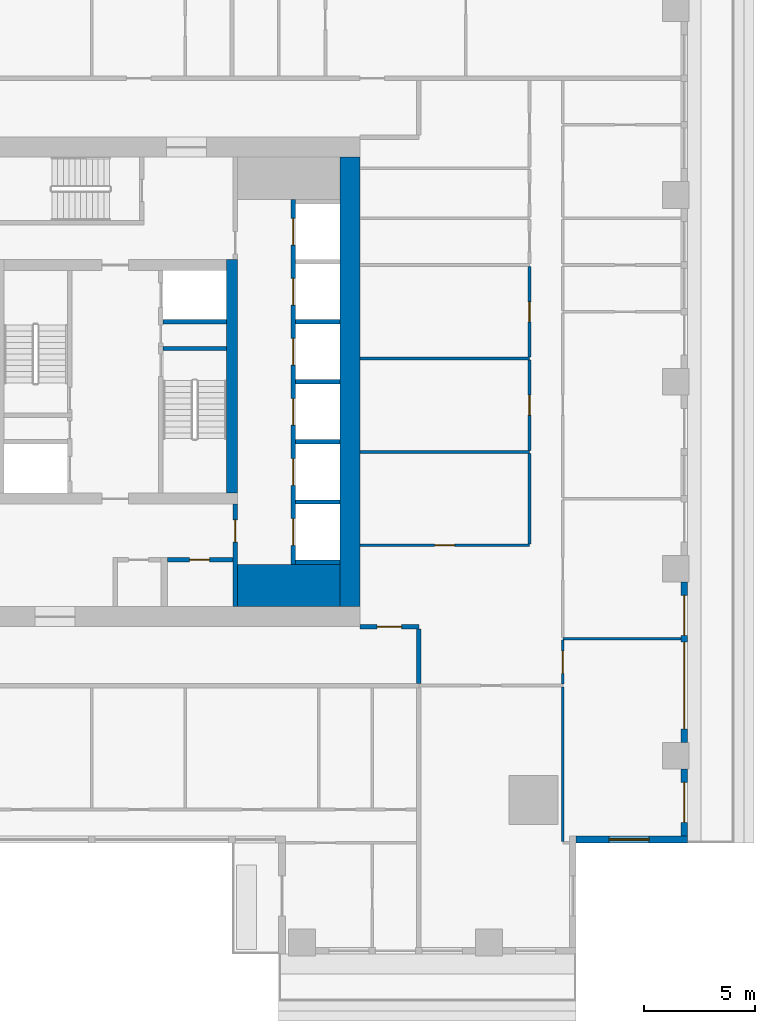
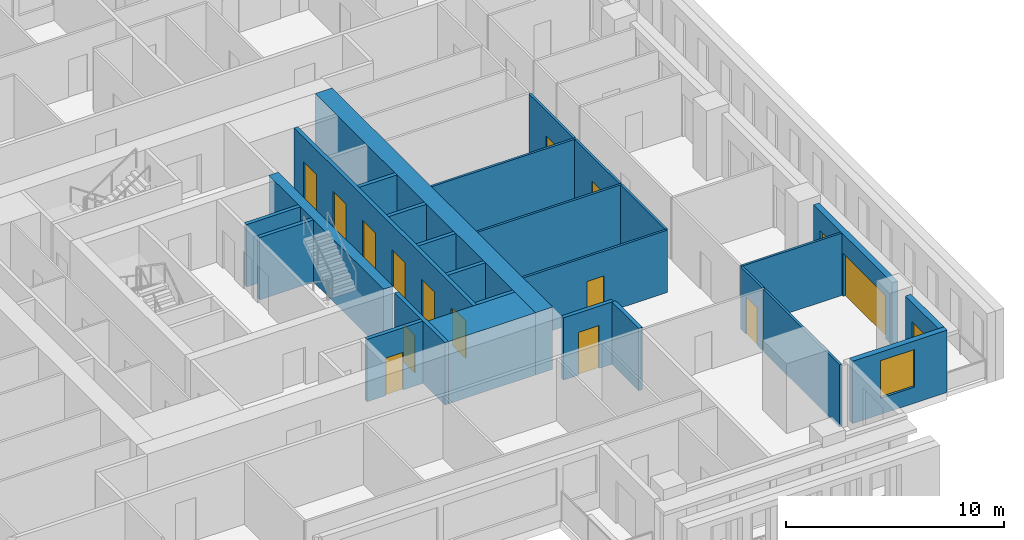
# One storey, part 5 of 15: 27 walls, 16 doors, 1 window, 17 openings.
"""IFC4 building model written with IfcOpenShell, lengths in metres."""

from ifc_helpers import new_model, si_unit, direction, frame, frame_2d, origin, place, context, subcontext, project, spatial, rectangle, extrude, material, layer, layer_set, type_object, element, fill, save


model = new_model("IFC4")

# Units and contexts
model_context = context("Model", 3, precision=1e-05, world=origin(), true_north=direction((0.0, 1.0)))
body_context = subcontext(model_context, "Body", "Model", "MODEL_VIEW")
ifc_project = project(units=[si_unit("LENGTHUNIT", "METRE"), si_unit("AREAUNIT", "SQUARE_METRE"), si_unit("VOLUMEUNIT", "CUBIC_METRE"), si_unit("PLANEANGLEUNIT", "RADIAN"), si_unit("MASSUNIT", "GRAM", prefix="KILO")], contexts=[model_context])

# Site, building, storey
site_placement = place(None, origin())
site = spatial("IfcSite", under=ifc_project, at=site_placement, CompositionType="ELEMENT")
building_placement = place(site_placement, origin())
building = spatial("IfcBuilding", under=site, at=building_placement, Name="Khepri Terraces", CompositionType="ELEMENT")
storey_placement = place(building_placement, frame((0.0, 0.0, 256.199951171875)))
storey = spatial("IfcBuildingStorey", under=building, at=storey_placement, Name="L61", CompositionType="ELEMENT", Elevation=256.199951171875)

# Walls
ifc_material_1 = material(Name="Concrete C40/50", Category="concrete")
ifc_layer_1 = layer(ifc_material_1, 1.89990234375, Name="Concrete C40/50", Category="concrete")
ifc_layer_set_1 = layer_set([ifc_layer_1], Name="Concrete C40/50")
wall_type_1 = type_object("IfcWallType", Name="Core wall 1900 C40/50", PredefinedType="SHEAR", material=ifc_layer_set_1)
wall_1_placement = place(storey_placement, frame((5.5, -9.14990234375, 0.0), z_axis=(0.0, 0.0, 1.0), x_axis=(1.0, 0.0, 0.0)))
element("IfcWall", 1, at=wall_1_placement, inside=storey, type_object=wall_type_1, Name="Core wall PR02 L61", PredefinedType="SHEAR", context=body_context, shape_type="SweptSolid", body=[
    extrude(rectangle(XDim=4.60009765625, YDim=1.89990234375, at=frame_2d((2.300048828125, 0.0))), origin(), (0.0, 0.0, 1.0), 3.47998046875),
])
ifc_layer_2 = layer(ifc_material_1, 0.199951171875, Name="Concrete C40/50", Category="concrete")
ifc_layer_set_2 = layer_set([ifc_layer_2], Name="Concrete C40/50")
wall_type_2 = type_object("IfcWallType", Name="Core wall 200 C40/50", PredefinedType="SHEAR", material=ifc_layer_set_2)
wall_2_placement = place(storey_placement, frame((2.14990234375, 1.5, 0.0), z_axis=(0.0, 0.0, 1.0), x_axis=(1.0, 0.0, 0.0)))
element("IfcWall", 2, at=wall_2_placement, inside=storey, type_object=wall_type_2, Name="Core wall ST04 L61", PredefinedType="SHEAR", context=body_context, shape_type="SweptSolid", body=[
    extrude(rectangle(XDim=2.85009765625, YDim=0.199951171875, at=frame_2d((1.425048828125, 0.0))), origin(), (0.0, 0.0, 1.0), 3.47998046875),
])

# Wall, openings, doors
wall_3_placement = place(storey_placement, frame((8.0, -8.199951171875, 0.0), z_axis=(0.0, 0.0, 1.0), x_axis=(0.0, 1.0, 0.0)))
wall_3 = element("IfcWall", 3, at=wall_3_placement, inside=storey, type_object=wall_type_2, Name="Core wall SH02 L61", PredefinedType="SHEAR", context=body_context, shape_type="SweptSolid", body=[
    extrude(rectangle(XDim=16.39990234375, YDim=0.199951171875, at=frame_2d((8.199951171875, 0.0))), origin(), (0.0, 0.0, 1.0), 3.47998046875),
])
opening_1_placement = place(wall_3_placement, frame((0.85009765625, 0.0, 0.0)))
opening_1 = element("IfcOpeningElement", 4, at=opening_1_placement, cuts=wall_3, Name="Opening L61-C01", PredefinedType="OPENING", context=body_context, shape_type="SweptSolid", body=[
    extrude(rectangle(XDim=1.199951171875, YDim=2.10009765625, at=frame_2d((0.60009765625, 1.050048828125))), frame((0.0, 0.10986328125, 0.0), z_axis=(0.0, -1.0, 0.0), x_axis=(1.0, 0.0, 0.0)), (0.0, 0.0, 1.0), 0.219970703125),
])
opening_2_placement = place(wall_3_placement, frame((3.550048828125, 0.0, 0.0)))
opening_2 = element("IfcOpeningElement", 5, at=opening_2_placement, cuts=wall_3, Name="Opening L61-C02", PredefinedType="OPENING", context=body_context, shape_type="SweptSolid", body=[
    extrude(rectangle(XDim=1.199951171875, YDim=2.10009765625, at=frame_2d((0.60009765625, 1.050048828125))), frame((0.0, 0.10986328125, 0.0), z_axis=(0.0, -1.0, 0.0), x_axis=(1.0, 0.0, 0.0)), (0.0, 0.0, 1.0), 0.219970703125),
])
opening_3_placement = place(wall_3_placement, frame((6.25, 0.0, 0.0)))
opening_3 = element("IfcOpeningElement", 6, at=opening_3_placement, cuts=wall_3, Name="Opening L61-C03", PredefinedType="OPENING", context=body_context, shape_type="SweptSolid", body=[
    extrude(rectangle(XDim=1.199951171875, YDim=2.10009765625, at=frame_2d((0.60009765625, 1.050048828125))), frame((0.0, 0.10986328125, 0.0), z_axis=(0.0, -1.0, 0.0), x_axis=(1.0, 0.0, 0.0)), (0.0, 0.0, 1.0), 0.219970703125),
])
opening_4_placement = place(wall_3_placement, frame((8.949951171875, 0.0, 0.0)))
opening_4 = element("IfcOpeningElement", 7, at=opening_4_placement, cuts=wall_3, Name="Opening L61-C04", PredefinedType="OPENING", context=body_context, shape_type="SweptSolid", body=[
    extrude(rectangle(XDim=1.199951171875, YDim=2.10009765625, at=frame_2d((0.60009765625, 1.050048828125))), frame((0.0, 0.10986328125, 0.0), z_axis=(0.0, -1.0, 0.0), x_axis=(1.0, 0.0, 0.0)), (0.0, 0.0, 1.0), 0.219970703125),
])
opening_5_placement = place(wall_3_placement, frame((11.64990234375, 0.0, 0.0)))
opening_5 = element("IfcOpeningElement", 8, at=opening_5_placement, cuts=wall_3, Name="Opening L61-C05", PredefinedType="OPENING", context=body_context, shape_type="SweptSolid", body=[
    extrude(rectangle(XDim=1.199951171875, YDim=2.10009765625, at=frame_2d((0.60009765625, 1.050048828125))), frame((0.0, 0.10986328125, 0.0), z_axis=(0.0, -1.0, 0.0), x_axis=(1.0, 0.0, 0.0)), (0.0, 0.0, 1.0), 0.219970703125),
])
opening_6_placement = place(wall_3_placement, frame((14.35009765625, 0.0, 0.0)))
opening_6 = element("IfcOpeningElement", 9, at=opening_6_placement, cuts=wall_3, Name="Opening L61-C06", PredefinedType="OPENING", context=body_context, shape_type="SweptSolid", body=[
    extrude(rectangle(XDim=1.199951171875, YDim=2.10009765625, at=frame_2d((0.60009765625, 1.050048828125))), frame((0.0, 0.10986328125, 0.0), z_axis=(0.0, -1.0, 0.0), x_axis=(1.0, 0.0, 0.0)), (0.0, 0.0, 1.0), 0.219970703125),
])
ifc_material_2 = material(Name="Stainless steel 304", Category="steel")
door_type_1 = type_object("IfcDoorType", Name="DR-CORE-LANDING-1200", OperationType="NOTDEFINED", PredefinedType="DOOR", material=ifc_material_2)
door_1_placement = place(opening_1_placement, origin())
door_1 = element("IfcDoor", 10, at=door_1_placement, inside=storey, type_object=door_type_1, Name="Lift landing door L61-C01", OperationType="SLIDING_TO_LEFT", OverallHeight=2.10009765625, OverallWidth=1.199951171875, PredefinedType="DOOR", context=body_context, shape_type="SweptSolid", body=[
    extrude(rectangle(XDim=1.199951171875, YDim=2.10009765625, at=frame_2d((0.60009765625, 1.050048828125))), frame((0.0, 0.02490234375, 0.0), z_axis=(0.0, -1.0, 0.0), x_axis=(1.0, 0.0, 0.0)), (0.0, 0.0, 1.0), 0.050048828125),
])
fill(opening_1, door_1)
door_2_placement = place(opening_2_placement, origin())
door_2 = element("IfcDoor", 11, at=door_2_placement, inside=storey, type_object=door_type_1, Name="Lift landing door L61-C02", OperationType="SLIDING_TO_LEFT", OverallHeight=2.10009765625, OverallWidth=1.199951171875, PredefinedType="DOOR", context=body_context, shape_type="SweptSolid", body=[
    extrude(rectangle(XDim=1.199951171875, YDim=2.10009765625, at=frame_2d((0.60009765625, 1.050048828125))), frame((0.0, 0.02490234375, 0.0), z_axis=(0.0, -1.0, 0.0), x_axis=(1.0, 0.0, 0.0)), (0.0, 0.0, 1.0), 0.050048828125),
])
fill(opening_2, door_2)
door_3_placement = place(opening_3_placement, origin())
door_3 = element("IfcDoor", 12, at=door_3_placement, inside=storey, type_object=door_type_1, Name="Lift landing door L61-C03", OperationType="SLIDING_TO_LEFT", OverallHeight=2.10009765625, OverallWidth=1.199951171875, PredefinedType="DOOR", context=body_context, shape_type="SweptSolid", body=[
    extrude(rectangle(XDim=1.199951171875, YDim=2.10009765625, at=frame_2d((0.60009765625, 1.050048828125))), frame((0.0, 0.02490234375, 0.0), z_axis=(0.0, -1.0, 0.0), x_axis=(1.0, 0.0, 0.0)), (0.0, 0.0, 1.0), 0.050048828125),
])
fill(opening_3, door_3)
door_4_placement = place(opening_4_placement, origin())
door_4 = element("IfcDoor", 13, at=door_4_placement, inside=storey, type_object=door_type_1, Name="Lift landing door L61-C04", OperationType="SLIDING_TO_LEFT", OverallHeight=2.10009765625, OverallWidth=1.199951171875, PredefinedType="DOOR", context=body_context, shape_type="SweptSolid", body=[
    extrude(rectangle(XDim=1.199951171875, YDim=2.10009765625, at=frame_2d((0.60009765625, 1.050048828125))), frame((0.0, 0.02490234375, 0.0), z_axis=(0.0, -1.0, 0.0), x_axis=(1.0, 0.0, 0.0)), (0.0, 0.0, 1.0), 0.050048828125),
])
fill(opening_4, door_4)
door_5_placement = place(opening_5_placement, origin())
door_5 = element("IfcDoor", 14, at=door_5_placement, inside=storey, type_object=door_type_1, Name="Lift landing door L61-C05", OperationType="SLIDING_TO_LEFT", OverallHeight=2.10009765625, OverallWidth=1.199951171875, PredefinedType="DOOR", context=body_context, shape_type="SweptSolid", body=[
    extrude(rectangle(XDim=1.199951171875, YDim=2.10009765625, at=frame_2d((0.60009765625, 1.050048828125))), frame((0.0, 0.02490234375, 0.0), z_axis=(0.0, -1.0, 0.0), x_axis=(1.0, 0.0, 0.0)), (0.0, 0.0, 1.0), 0.050048828125),
])
fill(opening_5, door_5)
door_6_placement = place(opening_6_placement, origin())
door_6 = element("IfcDoor", 15, at=door_6_placement, inside=storey, type_object=door_type_1, Name="Lift landing door L61-C06", OperationType="SLIDING_TO_LEFT", OverallHeight=2.10009765625, OverallWidth=1.199951171875, PredefinedType="DOOR", context=body_context, shape_type="SweptSolid", body=[
    extrude(rectangle(XDim=1.199951171875, YDim=2.10009765625, at=frame_2d((0.60009765625, 1.050048828125))), frame((0.0, 0.02490234375, 0.0), z_axis=(0.0, -1.0, 0.0), x_axis=(1.0, 0.0, 0.0)), (0.0, 0.0, 1.0), 0.050048828125),
])
fill(opening_6, door_6)

# Walls
for number, where, z_axis, x_axis, name in (
    (16, (8.10009765625, -8.10009765625, 0.0), (0.0, 0.0, 1.0), (1.0, 0.0, 0.0), "Core wall SH03 L61"),
    (17, (8.10009765625, -5.39990234375, 0.0), (0.0, 0.0, 1.0), (1.0, 0.0, 0.0), "Core wall SH04 L61"),
    (18, (8.10009765625, -2.699951171875, 0.0), (0.0, 0.0, 1.0), (1.0, 0.0, 0.0), "Core wall SH08 L61"),
    (19, (8.10009765625, 0.0, 0.0), (0.0, 0.0, 1.0), (1.0, 0.0, 0.0), "Core wall SH09 L61"),
):
    element("IfcWall", number, at=place(storey_placement, frame(where, z_axis=z_axis, x_axis=x_axis)), inside=storey, type_object=wall_type_2, Name=name, PredefinedType="SHEAR", context=body_context, shape_type="SweptSolid", body=[
        extrude(rectangle(XDim=2.0, YDim=0.199951171875, at=frame_2d((1.0, 0.0))), origin(), (0.0, 0.0, 1.0), 3.47998046875),
    ])
wall_4_placement = place(storey_placement, frame((2.14990234375, 2.699951171875, 0.0), z_axis=(0.0, 0.0, 1.0), x_axis=(1.0, 0.0, 0.0)))
element("IfcWall", 20, at=wall_4_placement, inside=storey, type_object=wall_type_2, Name="Core wall SH12 L61", PredefinedType="SHEAR", context=body_context, shape_type="SweptSolid", body=[
    extrude(rectangle(XDim=2.85009765625, YDim=0.199951171875, at=frame_2d((1.425048828125, 0.0))), origin(), (0.0, 0.0, 1.0), 3.47998046875),
])
wall_5_placement = place(storey_placement, frame((8.10009765625, 2.699951171875, 0.0), z_axis=(0.0, 0.0, 1.0), x_axis=(1.0, 0.0, 0.0)))
element("IfcWall", 21, at=wall_5_placement, inside=storey, type_object=wall_type_2, Name="Core wall SH13 L61", PredefinedType="SHEAR", context=body_context, shape_type="SweptSolid", body=[
    extrude(rectangle(XDim=2.0, YDim=0.199951171875, at=frame_2d((1.0, 0.0))), origin(), (0.0, 0.0, 1.0), 3.47998046875),
])
ifc_layer_3 = layer(ifc_material_1, 0.5, Name="Concrete C40/50", Category="concrete")
ifc_layer_set_3 = layer_set([ifc_layer_3], Name="Concrete C40/50")
wall_type_3 = type_object("IfcWallType", Name="Core wall 500 C40/50", PredefinedType="SHEAR", material=ifc_layer_set_3)
wall_6_placement = place(storey_placement, frame((5.25, -5.0, 0.0), z_axis=(0.0, 0.0, 1.0), x_axis=(0.0, 1.0, 0.0)))
element("IfcWall", 22, at=wall_6_placement, inside=storey, type_object=wall_type_3, Name="Core wall BX03 L61", PredefinedType="SHEAR", context=body_context, shape_type="SweptSolid", body=[
    extrude(rectangle(XDim=10.5, YDim=0.5, at=frame_2d((5.25, 0.0))), origin(), (0.0, 0.0, 1.0), 3.47998046875),
])
ifc_layer_4 = layer(ifc_material_1, 0.89990234375, Name="Concrete C40/50", Category="concrete")
ifc_layer_set_4 = layer_set([ifc_layer_4], Name="Concrete C40/50")
wall_type_4 = type_object("IfcWallType", Name="Core wall 900 C40/50", PredefinedType="SHEAR", material=ifc_layer_set_4)
wall_7_placement = place(storey_placement, frame((10.550048828125, -10.10009765625, 0.0), z_axis=(0.0, 0.0, 1.0), x_axis=(0.0, 1.0, 0.0)))
element("IfcWall", 23, at=wall_7_placement, inside=storey, type_object=wall_type_4, Name="Core wall OW-E L61", PredefinedType="SHEAR", context=body_context, shape_type="SweptSolid", body=[
    extrude(rectangle(XDim=20.2001953125, YDim=0.89990234375, at=frame_2d((10.10009765625, 0.0))), origin(), (0.0, 0.0, 1.0), 3.47998046875),
])

# Wall, opening, door
ifc_material_3 = material(Name="Fire-rated gypsum board partition")
ifc_layer_5 = layer(ifc_material_3, 0.199951171875, Name="Fire-rated gypsum board partition")
ifc_layer_set_5 = layer_set([ifc_layer_5], Name="Fire-rated gypsum board partition")
wall_type_5 = type_object("IfcWallType", Name="WL-CORE-PART-200", PredefinedType="PARTITIONING", material=ifc_layer_set_5)
wall_8_placement = place(storey_placement, frame((5.39990234375, -10.10009765625, 0.0), z_axis=(0.0, 0.0, 1.0), x_axis=(0.0, 1.0, 0.0)))
wall_8 = element("IfcWall", 24, at=wall_8_placement, inside=storey, type_object=wall_type_5, Name="Core partition PT04 L61", PredefinedType="PARTITIONING", context=body_context, shape_type="SweptSolid", body=[
    extrude(rectangle(XDim=4.60009765625, YDim=0.199951171875, at=frame_2d((2.300048828125, 0.0))), origin(), (0.0, 0.0, 1.0), 3.47998046875),
])
opening_7_placement = place(wall_8_placement, frame((2.89990234375, 0.0, 0.0)))
opening_7 = element("IfcOpeningElement", 25, at=opening_7_placement, cuts=wall_8, Name="Opening L61-C19", PredefinedType="OPENING", context=body_context, shape_type="SweptSolid", body=[
    extrude(rectangle(XDim=1.0, YDim=2.10009765625, at=frame_2d((0.5, 1.050048828125))), frame((0.0, 0.10986328125, 0.0), z_axis=(0.0, -1.0, 0.0), x_axis=(1.0, 0.0, 0.0)), (0.0, 0.0, 1.0), 0.219970703125),
])
ifc_material_4 = material(Name="Painted steel", Category="steel")
door_type_2 = type_object("IfcDoorType", Name="DR-CORE-LOBBY-1000", OperationType="NOTDEFINED", PredefinedType="DOOR", material=ifc_material_4)
door_7_placement = place(opening_7_placement, origin())
door_7 = element("IfcDoor", 26, at=door_7_placement, inside=storey, type_object=door_type_2, Name="Lobby door L61-C19", OperationType="SINGLE_SWING_RIGHT", OverallHeight=2.10009765625, OverallWidth=1.0, PredefinedType="DOOR", context=body_context, shape_type="SweptSolid", body=[
    extrude(rectangle(XDim=1.0, YDim=2.10009765625, at=frame_2d((0.5, 1.050048828125))), frame((0.0, 0.02490234375, 0.0), z_axis=(0.0, -1.0, 0.0), x_axis=(1.0, 0.0, 0.0)), (0.0, 0.0, 1.0), 0.050048828125),
])
fill(opening_7, door_7)

wall_9_placement = place(storey_placement, frame((2.35009765625, -8.0, 0.0), z_axis=(0.0, 0.0, 1.0), x_axis=(1.0, 0.0, 0.0)))
wall_9 = element("IfcWall", 27, at=wall_9_placement, inside=storey, type_object=wall_type_5, Name="Core partition PT07 L61", PredefinedType="PARTITIONING", context=body_context, shape_type="SweptSolid", body=[
    extrude(rectangle(XDim=2.949951171875, YDim=0.199951171875, at=frame_2d((1.47509765625, 0.0))), origin(), (0.0, 0.0, 1.0), 3.47998046875),
])
opening_8_placement = place(wall_9_placement, frame((1.0, 0.0, 0.0)))
opening_8 = element("IfcOpeningElement", 28, at=opening_8_placement, cuts=wall_9, Name="Opening L61-C23", PredefinedType="OPENING", context=body_context, shape_type="SweptSolid", body=[
    extrude(rectangle(XDim=0.89990234375, YDim=2.10009765625, at=frame_2d((0.449951171875, 1.050048828125))), frame((0.0, 0.10986328125, 0.0), z_axis=(0.0, -1.0, 0.0), x_axis=(1.0, 0.0, 0.0)), (0.0, 0.0, 1.0), 0.219970703125),
])
door_type_3 = type_object("IfcDoorType", Name="DR-CORE-SERVICE-900", OperationType="NOTDEFINED", PredefinedType="DOOR", material=ifc_material_4)
door_8_placement = place(opening_8_placement, frame((0.89990234375, 0.0, 0.0), z_axis=(0.0, 0.0, 1.0), x_axis=(-1.0, 0.0, 0.0)))
door_8 = element("IfcDoor", 29, at=door_8_placement, inside=storey, type_object=door_type_3, Name="Service room door L61-C23", OperationType="SINGLE_SWING_RIGHT", OverallHeight=2.10009765625, OverallWidth=0.89990234375, PredefinedType="DOOR", context=body_context, shape_type="SweptSolid", body=[
    extrude(rectangle(XDim=0.89990234375, YDim=2.10009765625, at=frame_2d((0.449951171875, 1.050048828125))), frame((0.0, 0.02490234375, 0.0), z_axis=(0.0, -1.0, 0.0), x_axis=(1.0, 0.0, 0.0)), (0.0, 0.0, 1.0), 0.050048828125),
])
fill(opening_8, door_8)

# Wall
ifc_material_5 = material(Name="Fire-rated gypsum plasterboard partition, mineral wool")
ifc_layer_6 = layer(ifc_material_5, 0.199951171875, Name="Fire-rated gypsum plasterboard partition, mineral wool")
ifc_layer_set_6 = layer_set([ifc_layer_6], Name="Fire-rated gypsum plasterboard partition, mineral wool")
wall_type_6 = type_object("IfcWallType", Name="WL-CORR-200", PredefinedType="PARTITIONING", material=ifc_layer_set_6)
wall_10_placement = place(storey_placement, frame((13.64990234375, -13.550048828125, 0.0), z_axis=(0.0, 0.0, 1.0), x_axis=(0.0, 1.0, 0.0)))
element("IfcWall", 30, at=wall_10_placement, inside=storey, type_object=wall_type_6, Name="Partition P-021 L61", PredefinedType="PARTITIONING", context=body_context, shape_type="SweptSolid", body=[
    extrude(rectangle(XDim=2.449951171875, YDim=0.199951171875, at=frame_2d((1.22509765625, 0.0))), origin(), (0.0, 0.0, 1.0), 3.47998046875),
])

# Wall, opening, door
wall_11_placement = place(storey_placement, frame((11.0, -11.0, 0.0), z_axis=(0.0, 0.0, 1.0), x_axis=(1.0, 0.0, 0.0)))
wall_11 = element("IfcWall", 31, at=wall_11_placement, inside=storey, type_object=wall_type_6, Name="Partition P-027 L61", PredefinedType="PARTITIONING", context=body_context, shape_type="SweptSolid", body=[
    extrude(rectangle(XDim=2.64990234375, YDim=0.199951171875, at=frame_2d((1.324951171875, 0.0))), origin(), (0.0, 0.0, 1.0), 3.47998046875),
])
opening_9_placement = place(wall_11_placement, frame((0.77490234375, 0.0, 0.0)))
opening_9 = element("IfcOpeningElement", 32, at=opening_9_placement, cuts=wall_11, Name="Opening D1", PredefinedType="OPENING", context=body_context, shape_type="SweptSolid", body=[
    extrude(rectangle(XDim=1.10009765625, YDim=2.39990234375, at=frame_2d((0.550048828125, 1.199951171875))), frame((0.0, 0.10986328125, 0.0), z_axis=(0.0, -1.0, 0.0), x_axis=(1.0, 0.0, 0.0)), (0.0, 0.0, 1.0), 0.219970703125),
])
ifc_material_6 = material(Name="Solid-core timber door leaf, flat entrance door", Category="wood")
door_type_4 = type_object("IfcDoorType", Name="DR-ENT-1100", OperationType="NOTDEFINED", PredefinedType="DOOR", material=ifc_material_6)
door_9_placement = place(opening_9_placement, origin())
door_9 = element("IfcDoor", 33, at=door_9_placement, inside=storey, type_object=door_type_4, Name="Flat B1 entrance door", OperationType="SINGLE_SWING_LEFT", OverallHeight=2.39990234375, OverallWidth=1.10009765625, PredefinedType="DOOR", context=body_context, shape_type="SweptSolid", body=[
    extrude(rectangle(XDim=1.10009765625, YDim=2.39990234375, at=frame_2d((0.550048828125, 1.199951171875))), frame((0.0, 0.02490234375, 0.0), z_axis=(0.0, -1.0, 0.0), x_axis=(1.0, 0.0, 0.0)), (0.0, 0.0, 1.0), 0.050048828125),
])
fill(opening_9, door_9)

# Wall, opening, window
ifc_material_7 = material(Name="Precast concrete C50/60 warm stone", Category="masonry")
ifc_layer_7 = layer(ifc_material_7, 0.300048828125, Name="Precast concrete C50/60 warm stone", Category="masonry")
ifc_layer_set_7 = layer_set([ifc_layer_7], Name="Precast concrete C50/60 warm stone")
wall_type_7 = type_object("IfcWallType", Name="WL-EXT-PRECAST-300", PredefinedType="STANDARD", material=ifc_layer_set_7)
wall_12_placement = place(storey_placement, frame((20.719970703125, -20.570068359375, 0.0), z_axis=(0.0, 0.0, 1.0), x_axis=(1.0, 0.0, 0.0)))
wall_12 = element("IfcWall", 34, at=wall_12_placement, inside=storey, type_object=wall_type_7, Name="External wall L61 S", PredefinedType="STANDARD", context=body_context, shape_type="SweptSolid", body=[
    extrude(rectangle(XDim=5.0, YDim=0.300048828125, at=frame_2d((2.5, 0.0))), origin(), (0.0, 0.0, 1.0), 3.47998046875),
])
opening_10_placement = place(wall_12_placement, frame((1.47998046875, 0.0, 0.89990234375)))
opening_10 = element("IfcOpeningElement", 35, at=opening_10_placement, cuts=wall_12, Name="Opening W1", PredefinedType="OPENING", context=body_context, shape_type="SweptSolid", body=[
    extrude(rectangle(XDim=1.800048828125, YDim=2.10009765625, at=frame_2d((0.89990234375, 1.050048828125))), frame((0.0, 0.16015625, 0.0), z_axis=(0.0, -1.0, 0.0), x_axis=(1.0, 0.0, 0.0)), (0.0, 0.0, 1.0), 0.320068359375),
])
ifc_material_8 = material(Name="Clear glass", Category="glass")
window_type = type_object("IfcWindowType", Name="WIN-RES-1800x2100", PartitioningType="SINGLE_PANEL", PredefinedType="WINDOW", material=ifc_material_8)
window_placement = place(opening_10_placement, origin())
window = element("IfcWindow", 36, at=window_placement, inside=storey, type_object=window_type, Name="Window L61 S", OverallHeight=2.10009765625, OverallWidth=1.800048828125, PartitioningType="SINGLE_PANEL", PredefinedType="WINDOW", context=body_context, shape_type="SweptSolid", body=[
    extrude(rectangle(XDim=1.800048828125, YDim=2.10009765625, at=frame_2d((0.89990234375, 1.050048828125))), frame((0.0, 0.030029296875, 0.0), z_axis=(0.0, -1.0, 0.0), x_axis=(1.0, 0.0, 0.0)), (0.0, 0.0, 1.0), 0.06005859375),
])
fill(opening_10, window)

# Wall, opening, door
wall_13_placement = place(storey_placement, frame((25.570068359375, -20.419921875, 0.0), z_axis=(0.0, 0.0, 1.0), x_axis=(0.0, 1.0, 0.0)))
wall_13 = element("IfcWall", 37, at=wall_13_placement, inside=storey, type_object=wall_type_7, Name="External wall L61 E", PredefinedType="STANDARD", context=body_context, shape_type="SweptSolid", body=[
    extrude(rectangle(XDim=3.02001953125, YDim=0.300048828125, at=frame_2d((1.510009765625, 0.0))), origin(), (0.0, 0.0, 1.0), 3.47998046875),
])
opening_11_placement = place(wall_13_placement, frame((0.6201171875, 0.0, 0.0)))
opening_11 = element("IfcOpeningElement", 38, at=opening_11_placement, cuts=wall_13, Name="Opening ED-L61-01", PredefinedType="OPENING", context=body_context, shape_type="SweptSolid", body=[
    extrude(rectangle(XDim=1.800048828125, YDim=2.39990234375, at=frame_2d((0.89990234375, 1.199951171875))), frame((0.0, 0.16015625, 0.0), z_axis=(0.0, -1.0, 0.0), x_axis=(1.0, 0.0, 0.0)), (0.0, 0.0, 1.0), 0.320068359375),
])
ifc_material_9 = material(Name="Anodised aluminium bronze glazed door", Category="aluminium")
door_type_5 = type_object("IfcDoorType", Name="DR-BAL-SLIDE-1800x2400", OperationType="NOTDEFINED", PredefinedType="DOOR", material=ifc_material_9)
door_10_placement = place(opening_11_placement, origin())
door_10 = element("IfcDoor", 39, at=door_10_placement, inside=storey, type_object=door_type_5, Name="Balcony door L61 E", OperationType="SLIDING_TO_RIGHT", OverallHeight=2.39990234375, OverallWidth=1.800048828125, PredefinedType="DOOR", context=body_context, shape_type="SweptSolid", body=[
    extrude(rectangle(XDim=1.800048828125, YDim=2.39990234375, at=frame_2d((0.89990234375, 1.199951171875))), frame((0.0, 0.02490234375, 0.0), z_axis=(0.0, -1.0, 0.0), x_axis=(1.0, 0.0, 0.0)), (0.0, 0.0, 1.0), 0.050048828125),
])
fill(opening_11, door_10)

# Wall, openings, doors
wall_14_placement = place(storey_placement, frame((25.570068359375, -16.199951171875, 0.0), z_axis=(0.0, 0.0, 1.0), x_axis=(0.0, 1.0, 0.0)))
wall_14 = element("IfcWall", 40, at=wall_14_placement, inside=storey, type_object=wall_type_7, Name="External wall L61 E", PredefinedType="STANDARD", context=body_context, shape_type="SweptSolid", body=[
    extrude(rectangle(XDim=7.199951171875, YDim=0.300048828125, at=frame_2d((3.60009765625, 0.0))), origin(), (0.0, 0.0, 1.0), 3.47998046875),
])
opening_12_placement = place(wall_14_placement, frame((0.60009765625, 0.0, 0.0)))
opening_12 = element("IfcOpeningElement", 41, at=opening_12_placement, cuts=wall_14, Name="Opening ED-L61-02", PredefinedType="OPENING", context=body_context, shape_type="SweptSolid", body=[
    extrude(rectangle(XDim=3.89990234375, YDim=2.39990234375, at=frame_2d((1.949951171875, 1.199951171875))), frame((0.0, 0.16015625, 0.0), z_axis=(0.0, -1.0, 0.0), x_axis=(1.0, 0.0, 0.0)), (0.0, 0.0, 1.0), 0.320068359375),
])
opening_13_placement = place(wall_14_placement, frame((4.800048828125, 0.0, 0.0)))
opening_13 = element("IfcOpeningElement", 42, at=opening_13_placement, cuts=wall_14, Name="Opening ED-L61-03", PredefinedType="OPENING", context=body_context, shape_type="SweptSolid", body=[
    extrude(rectangle(XDim=1.800048828125, YDim=2.39990234375, at=frame_2d((0.89990234375, 1.199951171875))), frame((0.0, 0.16015625, 0.0), z_axis=(0.0, -1.0, 0.0), x_axis=(1.0, 0.0, 0.0)), (0.0, 0.0, 1.0), 0.320068359375),
])
door_11_placement = place(opening_13_placement, origin())
door_11 = element("IfcDoor", 43, at=door_11_placement, inside=storey, type_object=door_type_5, Name="Balcony door L61 E", OperationType="SLIDING_TO_RIGHT", OverallHeight=2.39990234375, OverallWidth=1.800048828125, PredefinedType="DOOR", context=body_context, shape_type="SweptSolid", body=[
    extrude(rectangle(XDim=1.800048828125, YDim=2.39990234375, at=frame_2d((0.89990234375, 1.199951171875))), frame((0.0, 0.02490234375, 0.0), z_axis=(0.0, -1.0, 0.0), x_axis=(1.0, 0.0, 0.0)), (0.0, 0.0, 1.0), 0.050048828125),
])
fill(opening_13, door_11)
door_type_6 = type_object("IfcDoorType", Name="DR-BAL-SLIDE-3900x2400", OperationType="NOTDEFINED", PredefinedType="DOOR", material=ifc_material_9)
door_12_placement = place(opening_12_placement, origin())
door_12 = element("IfcDoor", 44, at=door_12_placement, inside=storey, type_object=door_type_6, Name="Balcony door L61 E", OperationType="SLIDING_TO_LEFT", OverallHeight=2.39990234375, OverallWidth=3.89990234375, PredefinedType="DOOR", context=body_context, shape_type="SweptSolid", body=[
    extrude(rectangle(XDim=3.89990234375, YDim=2.39990234375, at=frame_2d((1.949951171875, 1.199951171875))), frame((0.0, 0.02490234375, 0.0), z_axis=(0.0, -1.0, 0.0), x_axis=(1.0, 0.0, 0.0)), (0.0, 0.0, 1.0), 0.050048828125),
])
fill(opening_12, door_12)

# Wall
ifc_material_10 = material(Name="Gypsum plasterboard partition")
ifc_layer_8 = layer(ifc_material_10, 0.1201171875, Name="Gypsum plasterboard partition")
ifc_layer_set_8 = layer_set([ifc_layer_8], Name="Gypsum plasterboard partition")
wall_type_8 = type_object("IfcWallType", Name="WL-PART-120", PredefinedType="PARTITIONING", material=ifc_layer_set_8)
wall_15_placement = place(storey_placement, frame((20.1201171875, -20.658935546875, 0.0), z_axis=(0.0, 0.0, 1.0), x_axis=(0.0, 1.0, 0.0)))
element("IfcWall", 45, at=wall_15_placement, inside=storey, type_object=wall_type_8, Name="Partition P-008 L61", PredefinedType="PARTITIONING", context=body_context, shape_type="SweptSolid", body=[
    extrude(rectangle(XDim=6.948974609375, YDim=0.1201171875, at=frame_2d((3.474609375, 0.0))), origin(), (0.0, 0.0, 1.0), 3.47998046875),
])

# Wall, opening, door
wall_16_placement = place(storey_placement, frame((20.1201171875, -13.590087890625, 0.0), z_axis=(0.0, 0.0, 1.0), x_axis=(0.0, 1.0, 0.0)))
wall_16 = element("IfcWall", 46, at=wall_16_placement, inside=storey, type_object=wall_type_8, Name="Partition P-017 L61", PredefinedType="PARTITIONING", context=body_context, shape_type="SweptSolid", body=[
    extrude(rectangle(XDim=1.97998046875, YDim=0.1201171875, at=frame_2d((0.989990234375, 0.0))), origin(), (0.0, 0.0, 1.0), 3.47998046875),
])
opening_14_placement = place(wall_16_placement, frame((0.489990234375, 0.0, 0.0)))
opening_14 = element("IfcOpeningElement", 47, at=opening_14_placement, cuts=wall_16, Name="Opening D2", PredefinedType="OPENING", context=body_context, shape_type="SweptSolid", body=[
    extrude(rectangle(XDim=1.0, YDim=2.10009765625, at=frame_2d((0.5, 1.050048828125))), frame((0.0, 0.070068359375, 0.0), z_axis=(0.0, -1.0, 0.0), x_axis=(1.0, 0.0, 0.0)), (0.0, 0.0, 1.0), 0.14013671875),
])
ifc_material_11 = material(Name="Timber door leaf, living room door", Category="wood")
door_type_7 = type_object("IfcDoorType", Name="DR-INT-1000", OperationType="NOTDEFINED", PredefinedType="DOOR", material=ifc_material_11)
door_13_placement = place(opening_14_placement, frame((1.0, 0.0, 0.0), z_axis=(0.0, 0.0, 1.0), x_axis=(-1.0, 0.0, 0.0)))
door_13 = element("IfcDoor", 48, at=door_13_placement, inside=storey, type_object=door_type_7, Name="Door Living Room", OperationType="SINGLE_SWING_RIGHT", OverallHeight=2.10009765625, OverallWidth=1.0, PredefinedType="DOOR", context=body_context, shape_type="SweptSolid", body=[
    extrude(rectangle(XDim=1.0, YDim=2.10009765625, at=frame_2d((0.5, 1.050048828125))), frame((0.0, 0.02490234375, 0.0), z_axis=(0.0, -1.0, 0.0), x_axis=(1.0, 0.0, 0.0)), (0.0, 0.0, 1.0), 0.050048828125),
])
fill(opening_14, door_13)

# Wall
wall_17_placement = place(storey_placement, frame((20.1201171875, -11.550048828125, 0.0), z_axis=(0.0, 0.0, 1.0), x_axis=(1.0, 0.0, 0.0)))
element("IfcWall", 49, at=wall_17_placement, inside=storey, type_object=wall_type_8, Name="Partition P-023 L61", PredefinedType="PARTITIONING", context=body_context, shape_type="SweptSolid", body=[
    extrude(rectangle(XDim=5.2998046875, YDim=0.1201171875, at=frame_2d((2.64990234375, 0.0))), origin(), (0.0, 0.0, 1.0), 3.47998046875),
])

# Wall, opening, door
wall_18_placement = place(storey_placement, frame((11.0, -7.35009765625, 0.0), z_axis=(0.0, 0.0, 1.0), x_axis=(1.0, 0.0, 0.0)))
wall_18 = element("IfcWall", 50, at=wall_18_placement, inside=storey, type_object=wall_type_8, Name="Partition P-031 L61", PredefinedType="PARTITIONING", context=body_context, shape_type="SweptSolid", body=[
    extrude(rectangle(XDim=7.6201171875, YDim=0.1201171875, at=frame_2d((3.81005859375, 0.0))), origin(), (0.0, 0.0, 1.0), 3.47998046875),
])
opening_15_placement = place(wall_18_placement, frame((3.360107421875, 0.0, 0.0)))
opening_15 = element("IfcOpeningElement", 51, at=opening_15_placement, cuts=wall_18, Name="Opening D3", PredefinedType="OPENING", context=body_context, shape_type="SweptSolid", body=[
    extrude(rectangle(XDim=0.89990234375, YDim=2.10009765625, at=frame_2d((0.449951171875, 1.050048828125))), frame((0.0, 0.070068359375, 0.0), z_axis=(0.0, -1.0, 0.0), x_axis=(1.0, 0.0, 0.0)), (0.0, 0.0, 1.0), 0.14013671875),
])
ifc_material_12 = material(Name="Timber door leaf", Category="wood")
door_type_8 = type_object("IfcDoorType", Name="DR-INT-900", OperationType="NOTDEFINED", PredefinedType="DOOR", material=ifc_material_12)
door_14_placement = place(opening_15_placement, origin())
door_14 = element("IfcDoor", 52, at=door_14_placement, inside=storey, type_object=door_type_8, Name="Door Kitchen", OperationType="SINGLE_SWING_RIGHT", OverallHeight=2.10009765625, OverallWidth=0.89990234375, PredefinedType="DOOR", context=body_context, shape_type="SweptSolid", body=[
    extrude(rectangle(XDim=0.89990234375, YDim=2.10009765625, at=frame_2d((0.449951171875, 1.050048828125))), frame((0.0, 0.02490234375, 0.0), z_axis=(0.0, -1.0, 0.0), x_axis=(1.0, 0.0, 0.0)), (0.0, 0.0, 1.0), 0.050048828125),
])
fill(opening_15, door_14)

# Walls
wall_19_placement = place(storey_placement, frame((18.6201171875, -7.2900390625, 0.0), z_axis=(0.0, 0.0, 1.0), x_axis=(0.0, 1.0, 0.0)))
element("IfcWall", 53, at=wall_19_placement, inside=storey, type_object=wall_type_8, Name="Partition P-033 L61", PredefinedType="PARTITIONING", context=body_context, shape_type="SweptSolid", body=[
    extrude(rectangle(XDim=4.080078125, YDim=0.1201171875, at=frame_2d((2.0400390625, 0.0))), origin(), (0.0, 0.0, 1.0), 3.47998046875),
])
wall_20_placement = place(storey_placement, frame((11.0, -3.14990234375, 0.0), z_axis=(0.0, 0.0, 1.0), x_axis=(1.0, 0.0, 0.0)))
element("IfcWall", 54, at=wall_20_placement, inside=storey, type_object=wall_type_8, Name="Partition P-042 L61", PredefinedType="PARTITIONING", context=body_context, shape_type="SweptSolid", body=[
    extrude(rectangle(XDim=7.6201171875, YDim=0.1201171875, at=frame_2d((3.81005859375, 0.0))), origin(), (0.0, 0.0, 1.0), 3.47998046875),
])

# Wall, opening, door
wall_21_placement = place(storey_placement, frame((18.6201171875, -3.090087890625, 0.0), z_axis=(0.0, 0.0, 1.0), x_axis=(0.0, 1.0, 0.0)))
wall_21 = element("IfcWall", 55, at=wall_21_placement, inside=storey, type_object=wall_type_8, Name="Partition P-043 L61", PredefinedType="PARTITIONING", context=body_context, shape_type="SweptSolid", body=[
    extrude(rectangle(XDim=4.080078125, YDim=0.1201171875, at=frame_2d((2.0400390625, 0.0))), origin(), (0.0, 0.0, 1.0), 3.47998046875),
])
opening_16_placement = place(wall_21_placement, frame((1.590087890625, 0.0, 0.0)))
opening_16 = element("IfcOpeningElement", 56, at=opening_16_placement, cuts=wall_21, Name="Opening D3", PredefinedType="OPENING", context=body_context, shape_type="SweptSolid", body=[
    extrude(rectangle(XDim=0.89990234375, YDim=2.10009765625, at=frame_2d((0.449951171875, 1.050048828125))), frame((0.0, 0.070068359375, 0.0), z_axis=(0.0, -1.0, 0.0), x_axis=(1.0, 0.0, 0.0)), (0.0, 0.0, 1.0), 0.14013671875),
])
door_15_placement = place(opening_16_placement, origin())
door_15 = element("IfcDoor", 57, at=door_15_placement, inside=storey, type_object=door_type_8, Name="Door Service Kitchen", OperationType="SINGLE_SWING_RIGHT", OverallHeight=2.10009765625, OverallWidth=0.89990234375, PredefinedType="DOOR", context=body_context, shape_type="SweptSolid", body=[
    extrude(rectangle(XDim=0.89990234375, YDim=2.10009765625, at=frame_2d((0.449951171875, 1.050048828125))), frame((0.0, 0.02490234375, 0.0), z_axis=(0.0, -1.0, 0.0), x_axis=(1.0, 0.0, 0.0)), (0.0, 0.0, 1.0), 0.050048828125),
])
fill(opening_16, door_15)

# Wall
wall_22_placement = place(storey_placement, frame((11.0, 1.050048828125, 0.0), z_axis=(0.0, 0.0, 1.0), x_axis=(1.0, 0.0, 0.0)))
element("IfcWall", 58, at=wall_22_placement, inside=storey, type_object=wall_type_8, Name="Partition P-049 L61", PredefinedType="PARTITIONING", context=body_context, shape_type="SweptSolid", body=[
    extrude(rectangle(XDim=7.6201171875, YDim=0.1201171875, at=frame_2d((3.81005859375, 0.0))), origin(), (0.0, 0.0, 1.0), 3.47998046875),
])

# Wall, opening, door
wall_23_placement = place(storey_placement, frame((18.6201171875, 1.110107421875, 0.0), z_axis=(0.0, 0.0, 1.0), x_axis=(0.0, 1.0, 0.0)))
wall_23 = element("IfcWall", 59, at=wall_23_placement, inside=storey, type_object=wall_type_8, Name="Partition P-051 L61", PredefinedType="PARTITIONING", context=body_context, shape_type="SweptSolid", body=[
    extrude(rectangle(XDim=4.079833984375, YDim=0.1201171875, at=frame_2d((2.0400390625, 0.0))), origin(), (0.0, 0.0, 1.0), 3.47998046875),
])
opening_17_placement = place(wall_23_placement, frame((1.590087890625, 0.0, 0.0)))
opening_17 = element("IfcOpeningElement", 60, at=opening_17_placement, cuts=wall_23, Name="Opening D3", PredefinedType="OPENING", context=body_context, shape_type="SweptSolid", body=[
    extrude(rectangle(XDim=0.89990234375, YDim=2.10009765625, at=frame_2d((0.449951171875, 1.050048828125))), frame((0.0, 0.070068359375, 0.0), z_axis=(0.0, -1.0, 0.0), x_axis=(1.0, 0.0, 0.0)), (0.0, 0.0, 1.0), 0.14013671875),
])
door_16_placement = place(opening_17_placement, origin())
door_16 = element("IfcDoor", 61, at=door_16_placement, inside=storey, type_object=door_type_8, Name="Door Staff Bedroom", OperationType="SINGLE_SWING_RIGHT", OverallHeight=2.10009765625, OverallWidth=0.89990234375, PredefinedType="DOOR", context=body_context, shape_type="SweptSolid", body=[
    extrude(rectangle(XDim=0.89990234375, YDim=2.10009765625, at=frame_2d((0.449951171875, 1.050048828125))), frame((0.0, 0.02490234375, 0.0), z_axis=(0.0, -1.0, 0.0), x_axis=(1.0, 0.0, 0.0)), (0.0, 0.0, 1.0), 0.050048828125),
])
fill(opening_17, door_16)

save(model, "model.ifc")
